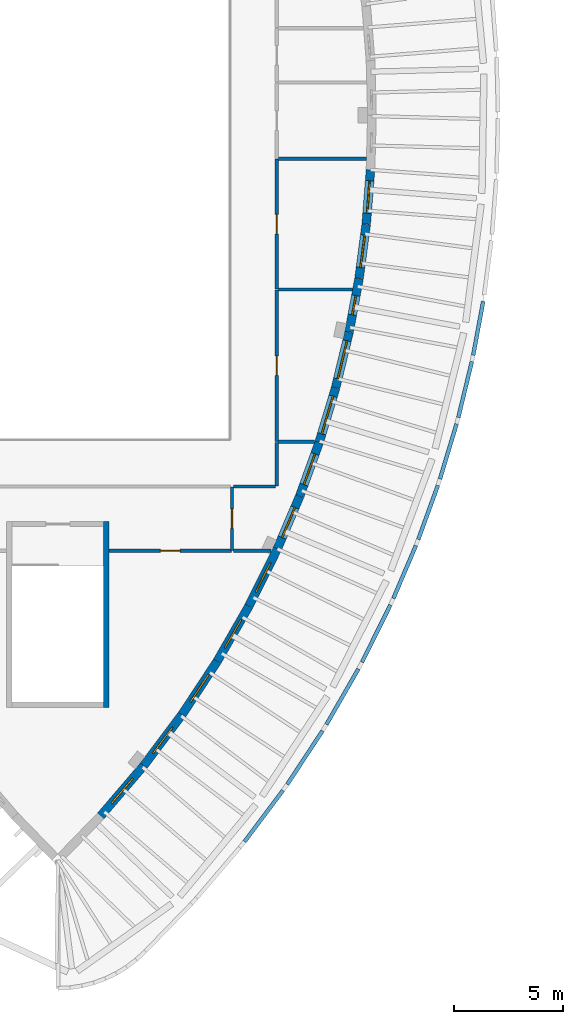
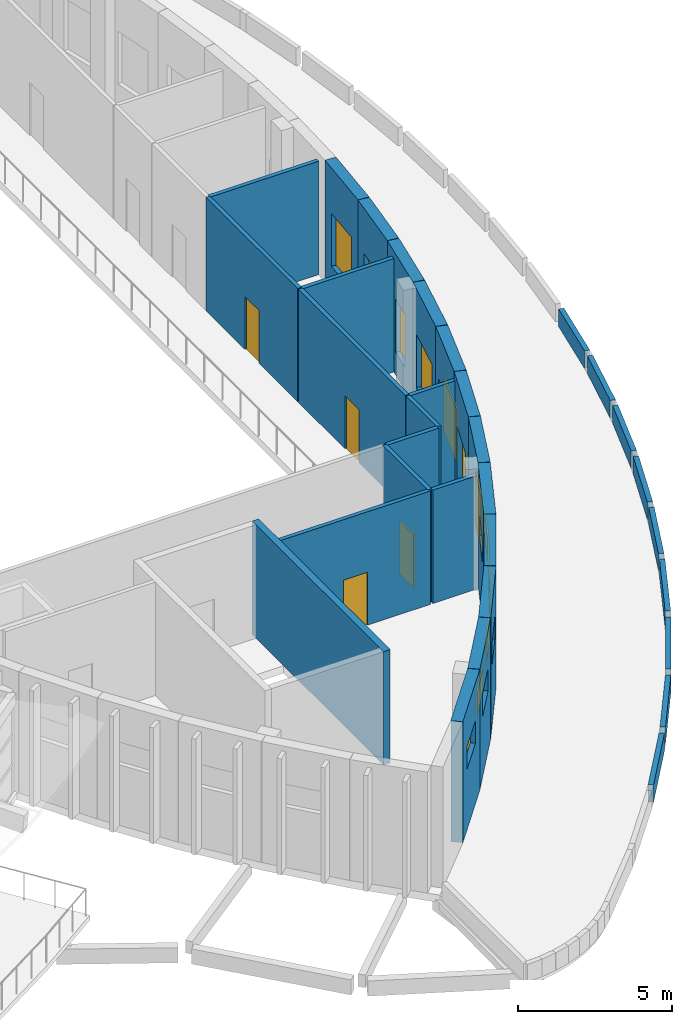
# One storey, part 73 of 93: 32 walls, 12 windows, 4 doors, 16 openings.
"""IFC4 building model written with IfcOpenShell, lengths in metres."""

from ifc_helpers import new_model, si_unit, direction, frame, frame_2d, origin, place, context, subcontext, project, spatial, rectangle, extrude, material, layer, layer_set, type_object, element, fill, save


model = new_model("IFC4")

# Units and contexts
model_context = context("Model", 3, precision=1e-05, world=origin(), true_north=direction((0.0, 1.0)))
body_context = subcontext(model_context, "Body", "Model", "MODEL_VIEW")
ifc_project = project(units=[si_unit("LENGTHUNIT", "METRE"), si_unit("AREAUNIT", "SQUARE_METRE"), si_unit("VOLUMEUNIT", "CUBIC_METRE"), si_unit("PLANEANGLEUNIT", "RADIAN"), si_unit("MASSUNIT", "GRAM", prefix="KILO")], contexts=[model_context])

# Site, building, storey
site_placement = place(None, origin())
site = spatial("IfcSite", under=ifc_project, at=site_placement, CompositionType="ELEMENT")
building_placement = place(site_placement, origin())
building = spatial("IfcBuilding", under=site, at=building_placement, Name="Tide Square Theatres", CompositionType="ELEMENT")
storey_placement = place(building_placement, frame((0.0, 0.0, 5.39990234375)))
storey = spatial("IfcBuildingStorey", under=building, at=storey_placement, Name="L01", CompositionType="ELEMENT", Elevation=5.39990234375)

# Walls
ifc_material_1 = material(Name="Gypsum board on steel studs", Category="steel")
ifc_layer_1 = layer(ifc_material_1, 0.14990234375)
ifc_layer_set_1 = layer_set([ifc_layer_1], Name="Gypsum board on steel studs")
wall_type_1 = type_object("IfcWallType", Name="Partition 150 thick", PredefinedType="PARTITIONING", material=ifc_layer_set_1)
wall_1_placement = place(storey_placement, frame((142.050048828125, 29.97998046875, 0.0), z_axis=(0.0, 0.0, 1.0), x_axis=(0.0, -1.0, 0.0)))
element("IfcWall", 1, at=wall_1_placement, inside=storey, type_object=wall_type_1, Name="Black Box Theatre partition", PredefinedType="PARTITIONING", context=body_context, shape_type="SweptSolid", body=[
    extrude(rectangle(XDim=2.009765625, YDim=0.14990234375, at=frame_2d((1.0048828125, 0.0))), origin(), (0.0, 0.0, 1.0), 4.5),
])
wall_2_placement = place(storey_placement, frame((141.98974609375, 27.949951171875, 0.0), z_axis=(0.0, 0.0, 1.0), x_axis=(-1.0, 0.0, 0.0)))
element("IfcWall", 2, at=wall_2_placement, inside=storey, type_object=wall_type_1, Name="Black Box Theatre partition", PredefinedType="PARTITIONING", context=body_context, shape_type="SweptSolid", body=[
    extrude(rectangle(XDim=1.9296875, YDim=0.14990234375, at=frame_2d((0.96484375, 0.0))), origin(), (0.0, 0.0, 1.0), 4.5),
])

# Wall, opening, door
wall_3_placement = place(storey_placement, frame((142.050048828125, 36.97998046875, 0.0), z_axis=(0.0, 0.0, 1.0), x_axis=(0.0, -1.0, 0.0)))
wall_3 = element("IfcWall", 3, at=wall_3_placement, inside=storey, type_object=wall_type_1, Name="Black Box Theatre partition", PredefinedType="PARTITIONING", context=body_context, shape_type="SweptSolid", body=[
    extrude(rectangle(XDim=6.9599609375, YDim=0.14990234375, at=frame_2d((3.47998046875, 0.0))), origin(), (0.0, 0.0, 1.0), 4.5),
])
opening_1_placement = place(wall_3_placement, frame((3.030029296875, 0.0, 0.0)))
opening_1 = element("IfcOpeningElement", 4, at=opening_1_placement, cuts=wall_3, Name="Opening B01-07", PredefinedType="OPENING", context=body_context, shape_type="SweptSolid", body=[
    extrude(rectangle(XDim=0.89990234375, YDim=2.10009765625, at=frame_2d((0.449951171875, 1.050048828125))), frame((0.0, 0.0849609375, 0.0), z_axis=(0.0, -1.0, 0.0), x_axis=(1.0, 0.0, 0.0)), (0.0, 0.0, 1.0), 0.169921875),
])
ifc_material_2 = material(Name="Hardwood timber", Category="wood")
door_type = type_object("IfcDoorType", Name="Door 900 x 2100 single leaf", OperationType="NOTDEFINED", PredefinedType="DOOR", material=ifc_material_2)
door_1_placement = place(opening_1_placement, origin())
door_1 = element("IfcDoor", 5, at=door_1_placement, inside=storey, type_object=door_type, Name="Rehearsal Room 03 door", OperationType="SINGLE_SWING_RIGHT", OverallHeight=2.10009765625, OverallWidth=0.89990234375, PredefinedType="DOOR", context=body_context, shape_type="SweptSolid", body=[
    extrude(rectangle(XDim=0.89990234375, YDim=2.10009765625, at=frame_2d((0.449951171875, 1.050048828125))), frame((0.0, 0.02490234375, 0.0), z_axis=(0.0, -1.0, 0.0), x_axis=(1.0, 0.0, 0.0)), (0.0, 0.0, 1.0), 0.050048828125),
])
fill(opening_1, door_1)

wall_4_placement = place(storey_placement, frame((142.050048828125, 42.97998046875, 0.0), z_axis=(0.0, 0.0, 1.0), x_axis=(0.0, -1.0, 0.0)))
wall_4 = element("IfcWall", 6, at=wall_4_placement, inside=storey, type_object=wall_type_1, Name="Black Box Theatre partition", PredefinedType="PARTITIONING", context=body_context, shape_type="SweptSolid", body=[
    extrude(rectangle(XDim=5.9599609375, YDim=0.14990234375, at=frame_2d((2.97998046875, 0.0))), origin(), (0.0, 0.0, 1.0), 4.5),
])
opening_2_placement = place(wall_4_placement, frame((2.530029296875, 0.0, 0.0)))
opening_2 = element("IfcOpeningElement", 7, at=opening_2_placement, cuts=wall_4, Name="Opening B01-08", PredefinedType="OPENING", context=body_context, shape_type="SweptSolid", body=[
    extrude(rectangle(XDim=0.89990234375, YDim=2.10009765625, at=frame_2d((0.449951171875, 1.050048828125))), frame((0.0, 0.0849609375, 0.0), z_axis=(0.0, -1.0, 0.0), x_axis=(1.0, 0.0, 0.0)), (0.0, 0.0, 1.0), 0.169921875),
])
door_2_placement = place(opening_2_placement, origin())
door_2 = element("IfcDoor", 8, at=door_2_placement, inside=storey, type_object=door_type, Name="Costume Room door", OperationType="SINGLE_SWING_RIGHT", OverallHeight=2.10009765625, OverallWidth=0.89990234375, PredefinedType="DOOR", context=body_context, shape_type="SweptSolid", body=[
    extrude(rectangle(XDim=0.89990234375, YDim=2.10009765625, at=frame_2d((0.449951171875, 1.050048828125))), frame((0.0, 0.02490234375, 0.0), z_axis=(0.0, -1.0, 0.0), x_axis=(1.0, 0.0, 0.0)), (0.0, 0.0, 1.0), 0.050048828125),
])
fill(opening_2, door_2)

wall_5_placement = place(storey_placement, frame((140.0, 27.929931640625, 0.0), z_axis=(0.0, 0.0, 1.0), x_axis=(0.0, -1.0, 0.0)))
wall_5 = element("IfcWall", 9, at=wall_5_placement, inside=storey, type_object=wall_type_1, Name="Black Box Theatre partition", PredefinedType="PARTITIONING", context=body_context, shape_type="SweptSolid", body=[
    extrude(rectangle(XDim=2.909912109375, YDim=0.14990234375, at=frame_2d((1.455078125, 0.0))), origin(), (0.0, 0.0, 1.0), 4.5),
])
opening_3_placement = place(wall_5_placement, frame((1.0048828125, 0.0, 0.0)))
opening_3 = element("IfcOpeningElement", 10, at=opening_3_placement, cuts=wall_5, Name="Opening B01-04", PredefinedType="OPENING", context=body_context, shape_type="SweptSolid", body=[
    extrude(rectangle(XDim=0.89990234375, YDim=2.10009765625, at=frame_2d((0.449951171875, 1.050048828125))), frame((0.0, 0.0849609375, 0.0), z_axis=(0.0, -1.0, 0.0), x_axis=(1.0, 0.0, 0.0)), (0.0, 0.0, 1.0), 0.169921875),
])
door_3_placement = place(opening_3_placement, origin())
door_3 = element("IfcDoor", 11, at=door_3_placement, inside=storey, type_object=door_type, Name="Black Box Lounge door", OperationType="SINGLE_SWING_RIGHT", OverallHeight=2.10009765625, OverallWidth=0.89990234375, PredefinedType="DOOR", context=body_context, shape_type="SweptSolid", body=[
    extrude(rectangle(XDim=0.89990234375, YDim=2.10009765625, at=frame_2d((0.449951171875, 1.050048828125))), frame((0.0, 0.02490234375, 0.0), z_axis=(0.0, -1.0, 0.0), x_axis=(1.0, 0.0, 0.0)), (0.0, 0.0, 1.0), 0.050048828125),
])
fill(opening_3, door_3)

wall_6_placement = place(storey_placement, frame((139.97998046875, 25.0, 0.0), z_axis=(0.0, 0.0, 1.0), x_axis=(-1.0, 0.0, 0.0)))
wall_6 = element("IfcWall", 12, at=wall_6_placement, inside=storey, type_object=wall_type_1, Name="Black Box Theatre partition", PredefinedType="PARTITIONING", context=body_context, shape_type="SweptSolid", body=[
    extrude(rectangle(XDim=5.63037109375, YDim=0.14990234375, at=frame_2d((2.815185546875, 0.0))), origin(), (0.0, 0.0, 1.0), 4.5),
])
opening_4_placement = place(wall_6_placement, frame((2.365234375, 0.0, 0.0)))
opening_4 = element("IfcOpeningElement", 13, at=opening_4_placement, cuts=wall_6, Name="Opening B01-13", PredefinedType="OPENING", context=body_context, shape_type="SweptSolid", body=[
    extrude(rectangle(XDim=0.89990234375, YDim=2.10009765625, at=frame_2d((0.449951171875, 1.050048828125))), frame((0.0, 0.0849609375, 0.0), z_axis=(0.0, -1.0, 0.0), x_axis=(1.0, 0.0, 0.0)), (0.0, 0.0, 1.0), 0.169921875),
])
door_4_placement = place(opening_4_placement, origin())
door_4 = element("IfcDoor", 14, at=door_4_placement, inside=storey, type_object=door_type, Name="Scenic Props Store door", OperationType="SINGLE_SWING_RIGHT", OverallHeight=2.10009765625, OverallWidth=0.89990234375, PredefinedType="DOOR", context=body_context, shape_type="SweptSolid", body=[
    extrude(rectangle(XDim=0.89990234375, YDim=2.10009765625, at=frame_2d((0.449951171875, 1.050048828125))), frame((0.0, 0.02490234375, 0.0), z_axis=(0.0, -1.0, 0.0), x_axis=(1.0, 0.0, 0.0)), (0.0, 0.0, 1.0), 0.050048828125),
])
fill(opening_4, door_4)

# Walls
wall_7_placement = place(storey_placement, frame((142.110107421875, 30.0, 0.0), z_axis=(0.0, 0.0, 1.0), x_axis=(1.0, 0.0, 0.0)))
element("IfcWall", 15, at=wall_7_placement, inside=storey, type_object=wall_type_1, Name="Black Box Theatre partition", PredefinedType="PARTITIONING", context=body_context, shape_type="SweptSolid", body=[
    extrude(rectangle(XDim=1.68115234375, YDim=0.14990234375, at=frame_2d((0.840576171875, 0.0))), origin(), (0.0, 0.0, 1.0), 4.5),
])
wall_8_placement = place(storey_placement, frame((141.7958984375, 25.0, 0.0), z_axis=(0.0, 0.0, 1.0), x_axis=(-1.0, 0.0, 0.0)))
element("IfcWall", 16, at=wall_8_placement, inside=storey, type_object=wall_type_1, Name="Black Box Theatre partition", PredefinedType="PARTITIONING", context=body_context, shape_type="SweptSolid", body=[
    extrude(rectangle(XDim=1.73583984375, YDim=0.14990234375, at=frame_2d((0.867919921875, 0.0))), origin(), (0.0, 0.0, 1.0), 4.5),
])
wall_9_placement = place(storey_placement, frame((142.110107421875, 37.0, 0.0), z_axis=(0.0, 0.0, 1.0), x_axis=(1.0, 0.0, 0.0)))
element("IfcWall", 17, at=wall_9_placement, inside=storey, type_object=wall_type_1, Name="Black Box Theatre partition", PredefinedType="PARTITIONING", context=body_context, shape_type="SweptSolid", body=[
    extrude(rectangle(XDim=3.428955078125, YDim=0.14990234375, at=frame_2d((1.71435546875, 0.0))), origin(), (0.0, 0.0, 1.0), 4.5),
])
wall_10_placement = place(storey_placement, frame((142.110107421875, 43.0, 0.0), z_axis=(0.0, 0.0, 1.0), x_axis=(1.0, 0.0, 0.0)))
element("IfcWall", 18, at=wall_10_placement, inside=storey, type_object=wall_type_1, Name="Black Box Theatre partition", PredefinedType="PARTITIONING", context=body_context, shape_type="SweptSolid", body=[
    extrude(rectangle(XDim=4.06494140625, YDim=0.14990234375, at=frame_2d((2.032470703125, 0.0))), origin(), (0.0, 0.0, 1.0), 4.5),
])

# Wall, opening, window
ifc_material_3 = material(Name="Concrete C40", Category="concrete")
ifc_layer_2 = layer(ifc_material_3, 0.39990234375)
ifc_layer_set_2 = layer_set([ifc_layer_2], Name="Concrete C40")
wall_type_2 = type_object("IfcWallType", Name="RC curved wall 400 thick", PredefinedType="SOLIDWALL", material=ifc_layer_set_2)
wall_11_placement = place(storey_placement, frame((133.97607421875, 12.824462890625, 0.0), z_axis=(0.0, 0.0, 1.0), x_axis=(0.649458578854, 0.760396971557, 0.0)))
wall_11 = element("IfcWall", 19, at=wall_11_placement, inside=storey, type_object=wall_type_2, Name="Black Box Theatre perimeter wall", PredefinedType="SOLIDWALL", context=body_context, shape_type="SweptSolid", body=[
    extrude(rectangle(XDim=3.019287109375, YDim=0.39990234375, at=frame_2d((1.509765625, 0.0))), origin(), (0.0, 0.0, 1.0), 4.800048828125),
])
opening_5_placement = place(wall_11_placement, frame((0.759521484375, 0.0, 2.39990234375)))
opening_5 = element("IfcOpeningElement", 20, at=opening_5_placement, cuts=wall_11, Name="Opening WN-04", PredefinedType="OPENING", context=body_context, shape_type="SweptSolid", body=[
    extrude(rectangle(XDim=1.5, YDim=0.89990234375, at=frame_2d((0.75, 0.449951171875))), frame((0.0, 0.2099609375, 0.0), z_axis=(0.0, -1.0, 0.0), x_axis=(1.0, 0.0, 0.0)), (0.0, 0.0, 1.0), 0.419921875),
])
ifc_material_4 = material(Name="Aluminium with laminated glass", Category="aluminium")
window_type_1 = type_object("IfcWindowType", Name="Window 1500 x 900", PartitioningType="SINGLE_PANEL", PredefinedType="WINDOW", material=ifc_material_4)
window_1_placement = place(opening_5_placement, origin())
window_1 = element("IfcWindow", 21, at=window_1_placement, inside=storey, type_object=window_type_1, Name="Black Box Theatre Scenic Props Store window", OverallHeight=0.89990234375, OverallWidth=1.5, PartitioningType="SINGLE_PANEL", PredefinedType="WINDOW", context=body_context, shape_type="SweptSolid", body=[
    extrude(rectangle(XDim=1.5, YDim=0.89990234375, at=frame_2d((0.75, 0.449951171875))), frame((0.0, 0.030029296875, 0.0), z_axis=(0.0, -1.0, 0.0), x_axis=(1.0, 0.0, 0.0)), (0.0, 0.0, 1.0), 0.06005859375),
])
fill(opening_5, window_1)

wall_12_placement = place(storey_placement, frame((135.944580078125, 15.130126953125, 0.0), z_axis=(0.0, 0.0, 1.0), x_axis=(0.600829330321, 0.799377330068, 0.0)))
wall_12 = element("IfcWall", 22, at=wall_12_placement, inside=storey, type_object=wall_type_2, Name="Black Box Theatre perimeter wall", PredefinedType="SOLIDWALL", context=body_context, shape_type="SweptSolid", body=[
    extrude(rectangle(XDim=2.919189453125, YDim=0.39990234375, at=frame_2d((1.45947265625, 0.0))), origin(), (0.0, 0.0, 1.0), 4.800048828125),
])
opening_6_placement = place(wall_12_placement, frame((0.709716796875, 0.0, 2.39990234375)))
opening_6 = element("IfcOpeningElement", 23, at=opening_6_placement, cuts=wall_12, Name="Opening WN-04", PredefinedType="OPENING", context=body_context, shape_type="SweptSolid", body=[
    extrude(rectangle(XDim=1.5, YDim=0.89990234375, at=frame_2d((0.75, 0.449951171875))), frame((0.0, 0.2099609375, 0.0), z_axis=(0.0, -1.0, 0.0), x_axis=(1.0, 0.0, 0.0)), (0.0, 0.0, 1.0), 0.419921875),
])
window_2_placement = place(opening_6_placement, origin())
window_2 = element("IfcWindow", 24, at=window_2_placement, inside=storey, type_object=window_type_1, Name="Black Box Theatre Scenic Props Store window", OverallHeight=0.89990234375, OverallWidth=1.5, PartitioningType="SINGLE_PANEL", PredefinedType="WINDOW", context=body_context, shape_type="SweptSolid", body=[
    extrude(rectangle(XDim=1.5, YDim=0.89990234375, at=frame_2d((0.75, 0.449951171875))), frame((0.0, 0.030029296875, 0.0), z_axis=(0.0, -1.0, 0.0), x_axis=(1.0, 0.0, 0.0)), (0.0, 0.0, 1.0), 0.06005859375),
])
fill(opening_6, window_2)

wall_13_placement = place(storey_placement, frame((137.70556640625, 17.4736328125, 0.0), z_axis=(0.0, 0.0, 1.0), x_axis=(0.550602185206, 0.834767772285, 0.0)))
wall_13 = element("IfcWall", 25, at=wall_13_placement, inside=storey, type_object=wall_type_2, Name="Black Box Theatre perimeter wall", PredefinedType="SOLIDWALL", context=body_context, shape_type="SweptSolid", body=[
    extrude(rectangle(XDim=2.91943359375, YDim=0.39990234375, at=frame_2d((1.459716796875, 0.0))), origin(), (0.0, 0.0, 1.0), 4.800048828125),
])
opening_7_placement = place(wall_13_placement, frame((0.709716796875, 0.0, 2.39990234375)))
opening_7 = element("IfcOpeningElement", 26, at=opening_7_placement, cuts=wall_13, Name="Opening WN-04", PredefinedType="OPENING", context=body_context, shape_type="SweptSolid", body=[
    extrude(rectangle(XDim=1.5, YDim=0.89990234375, at=frame_2d((0.75, 0.449951171875))), frame((0.0, 0.2099609375, 0.0), z_axis=(0.0, -1.0, 0.0), x_axis=(1.0, 0.0, 0.0)), (0.0, 0.0, 1.0), 0.419921875),
])
window_3_placement = place(opening_7_placement, origin())
window_3 = element("IfcWindow", 27, at=window_3_placement, inside=storey, type_object=window_type_1, Name="Black Box Theatre Scenic Props Store window", OverallHeight=0.89990234375, OverallWidth=1.5, PartitioningType="SINGLE_PANEL", PredefinedType="WINDOW", context=body_context, shape_type="SweptSolid", body=[
    extrude(rectangle(XDim=1.5, YDim=0.89990234375, at=frame_2d((0.75, 0.449951171875))), frame((0.0, 0.030029296875, 0.0), z_axis=(0.0, -1.0, 0.0), x_axis=(1.0, 0.0, 0.0)), (0.0, 0.0, 1.0), 0.06005859375),
])
fill(opening_7, window_3)

wall_14_placement = place(storey_placement, frame((139.3193359375, 19.9208984375, 0.0), z_axis=(0.0, 0.0, 1.0), x_axis=(0.498406705095, 0.866943340892, 0.0)))
wall_14 = element("IfcWall", 28, at=wall_14_placement, inside=storey, type_object=wall_type_2, Name="Black Box Theatre perimeter wall", PredefinedType="SOLIDWALL", context=body_context, shape_type="SweptSolid", body=[
    extrude(rectangle(XDim=2.91943359375, YDim=0.39990234375, at=frame_2d((1.459716796875, 0.0))), origin(), (0.0, 0.0, 1.0), 4.800048828125),
])
opening_8_placement = place(wall_14_placement, frame((0.709716796875, 0.0, 2.39990234375)))
opening_8 = element("IfcOpeningElement", 29, at=opening_8_placement, cuts=wall_14, Name="Opening WN-04", PredefinedType="OPENING", context=body_context, shape_type="SweptSolid", body=[
    extrude(rectangle(XDim=1.5, YDim=0.89990234375, at=frame_2d((0.75, 0.449951171875))), frame((0.0, 0.2099609375, 0.0), z_axis=(0.0, -1.0, 0.0), x_axis=(1.0, 0.0, 0.0)), (0.0, 0.0, 1.0), 0.419921875),
])
window_4_placement = place(opening_8_placement, origin())
window_4 = element("IfcWindow", 30, at=window_4_placement, inside=storey, type_object=window_type_1, Name="Black Box Theatre Scenic Props Store window", OverallHeight=0.89990234375, OverallWidth=1.5, PartitioningType="SINGLE_PANEL", PredefinedType="WINDOW", context=body_context, shape_type="SweptSolid", body=[
    extrude(rectangle(XDim=1.5, YDim=0.89990234375, at=frame_2d((0.75, 0.449951171875))), frame((0.0, 0.030029296875, 0.0), z_axis=(0.0, -1.0, 0.0), x_axis=(1.0, 0.0, 0.0)), (0.0, 0.0, 1.0), 0.06005859375),
])
fill(opening_8, window_4)

wall_15_placement = place(storey_placement, frame((140.7802734375, 22.462646484375, 0.0), z_axis=(0.0, 0.0, 1.0), x_axis=(0.44433489597, 0.895860759395, 0.0)))
wall_15 = element("IfcWall", 31, at=wall_15_placement, inside=storey, type_object=wall_type_2, Name="Black Box Theatre perimeter wall", PredefinedType="SOLIDWALL", context=body_context, shape_type="SweptSolid", body=[
    extrude(rectangle(XDim=2.919677734375, YDim=0.39990234375, at=frame_2d((1.4599609375, 0.0))), origin(), (0.0, 0.0, 1.0), 4.800048828125),
])
opening_9_placement = place(wall_15_placement, frame((0.7099609375, 0.0, 2.39990234375)))
opening_9 = element("IfcOpeningElement", 32, at=opening_9_placement, cuts=wall_15, Name="Opening WN-04", PredefinedType="OPENING", context=body_context, shape_type="SweptSolid", body=[
    extrude(rectangle(XDim=1.5, YDim=0.89990234375, at=frame_2d((0.75, 0.449951171875))), frame((0.0, 0.2099609375, 0.0), z_axis=(0.0, -1.0, 0.0), x_axis=(1.0, 0.0, 0.0)), (0.0, 0.0, 1.0), 0.419921875),
])
window_5_placement = place(opening_9_placement, origin())
window_5 = element("IfcWindow", 33, at=window_5_placement, inside=storey, type_object=window_type_1, Name="Black Box Theatre Scenic Props Store window", OverallHeight=0.89990234375, OverallWidth=1.5, PartitioningType="SINGLE_PANEL", PredefinedType="WINDOW", context=body_context, shape_type="SweptSolid", body=[
    extrude(rectangle(XDim=1.5, YDim=0.89990234375, at=frame_2d((0.75, 0.449951171875))), frame((0.0, 0.030029296875, 0.0), z_axis=(0.0, -1.0, 0.0), x_axis=(1.0, 0.0, 0.0)), (0.0, 0.0, 1.0), 0.06005859375),
])
fill(opening_9, window_5)

wall_16_placement = place(storey_placement, frame((142.08251953125, 25.089111328125, 0.0), z_axis=(0.0, 0.0, 1.0), x_axis=(0.391529943778, 0.920165367271, 0.0)))
wall_16 = element("IfcWall", 34, at=wall_16_placement, inside=storey, type_object=wall_type_2, Name="Black Box Theatre perimeter wall", PredefinedType="SOLIDWALL", context=body_context, shape_type="SweptSolid", body=[
    extrude(rectangle(XDim=2.61572265625, YDim=0.39990234375, at=frame_2d((1.307861328125, 0.0))), origin(), (0.0, 0.0, 1.0), 4.800048828125),
])
opening_10_placement = place(wall_16_placement, frame((0.55810546875, 0.0, 0.89990234375)))
opening_10 = element("IfcOpeningElement", 35, at=opening_10_placement, cuts=wall_16, Name="Opening WN-01", PredefinedType="OPENING", context=body_context, shape_type="SweptSolid", body=[
    extrude(rectangle(XDim=1.5, YDim=2.10009765625, at=frame_2d((0.75, 1.050048828125))), frame((0.0, 0.2099609375, 0.0), z_axis=(0.0, -1.0, 0.0), x_axis=(1.0, 0.0, 0.0)), (0.0, 0.0, 1.0), 0.419921875),
])
ifc_material_5 = material(Name="Aluminium with laminated glass", Category="aluminium")
window_type_2 = type_object("IfcWindowType", Name="Window 1500 x 2100", PartitioningType="SINGLE_PANEL", PredefinedType="WINDOW", material=ifc_material_5)
window_6_placement = place(opening_10_placement, origin())
window_6 = element("IfcWindow", 36, at=window_6_placement, inside=storey, type_object=window_type_2, Name="Black Box Theatre Black Box Lounge window", OverallHeight=2.10009765625, OverallWidth=1.5, PartitioningType="SINGLE_PANEL", PredefinedType="WINDOW", context=body_context, shape_type="SweptSolid", body=[
    extrude(rectangle(XDim=1.5, YDim=2.10009765625, at=frame_2d((0.75, 1.050048828125))), frame((0.0, 0.030029296875, 0.0), z_axis=(0.0, -1.0, 0.0), x_axis=(1.0, 0.0, 0.0)), (0.0, 0.0, 1.0), 0.06005859375),
])
fill(opening_10, window_6)

wall_17_placement = place(storey_placement, frame((143.110595703125, 27.50634765625, 0.0), z_axis=(0.0, 0.0, 1.0), x_axis=(0.340394146267, 0.940282843184, 0.0)))
wall_17 = element("IfcWall", 37, at=wall_17_placement, inside=storey, type_object=wall_type_2, Name="Black Box Theatre perimeter wall", PredefinedType="SOLIDWALL", context=body_context, shape_type="SweptSolid", body=[
    extrude(rectangle(XDim=2.616455078125, YDim=0.39990234375, at=frame_2d((1.30810546875, 0.0))), origin(), (0.0, 0.0, 1.0), 4.800048828125),
])
opening_11_placement = place(wall_17_placement, frame((0.558349609375, 0.0, 0.89990234375)))
opening_11 = element("IfcOpeningElement", 38, at=opening_11_placement, cuts=wall_17, Name="Opening WN-01", PredefinedType="OPENING", context=body_context, shape_type="SweptSolid", body=[
    extrude(rectangle(XDim=1.5, YDim=2.10009765625, at=frame_2d((0.75, 1.050048828125))), frame((0.0, 0.2099609375, 0.0), z_axis=(0.0, -1.0, 0.0), x_axis=(1.0, 0.0, 0.0)), (0.0, 0.0, 1.0), 0.419921875),
])
window_7_placement = place(opening_11_placement, origin())
window_7 = element("IfcWindow", 39, at=window_7_placement, inside=storey, type_object=window_type_2, Name="Black Box Theatre Black Box Lounge window", OverallHeight=2.10009765625, OverallWidth=1.5, PartitioningType="SINGLE_PANEL", PredefinedType="WINDOW", context=body_context, shape_type="SweptSolid", body=[
    extrude(rectangle(XDim=1.5, YDim=2.10009765625, at=frame_2d((0.75, 1.050048828125))), frame((0.0, 0.030029296875, 0.0), z_axis=(0.0, -1.0, 0.0), x_axis=(1.0, 0.0, 0.0)), (0.0, 0.0, 1.0), 0.06005859375),
])
fill(opening_11, window_7)

wall_18_placement = place(storey_placement, frame((144.004638671875, 29.97705078125, 0.0), z_axis=(0.0, 0.0, 1.0), x_axis=(0.288212317298, 0.957566530408, 0.0)))
wall_18 = element("IfcWall", 40, at=wall_18_placement, inside=storey, type_object=wall_type_2, Name="Black Box Theatre perimeter wall", PredefinedType="SOLIDWALL", context=body_context, shape_type="SweptSolid", body=[
    extrude(rectangle(XDim=2.61669921875, YDim=0.39990234375, at=frame_2d((1.308349609375, 0.0))), origin(), (0.0, 0.0, 1.0), 4.800048828125),
])
opening_12_placement = place(wall_18_placement, frame((0.408203125, 0.0, 0.89990234375)))
opening_12 = element("IfcOpeningElement", 41, at=opening_12_placement, cuts=wall_18, Name="Opening WN-14", PredefinedType="OPENING", context=body_context, shape_type="SweptSolid", body=[
    extrude(rectangle(XDim=1.800048828125, YDim=2.10009765625, at=frame_2d((0.89990234375, 1.050048828125))), frame((0.0, 0.2099609375, 0.0), z_axis=(0.0, -1.0, 0.0), x_axis=(1.0, 0.0, 0.0)), (0.0, 0.0, 1.0), 0.419921875),
])
ifc_material_6 = material(Name="Aluminium with laminated glass", Category="aluminium")
window_type_3 = type_object("IfcWindowType", Name="Window 1800 x 2100", PartitioningType="DOUBLE_PANEL_VERTICAL", PredefinedType="WINDOW", material=ifc_material_6)
window_8_placement = place(opening_12_placement, origin())
window_8 = element("IfcWindow", 42, at=window_8_placement, inside=storey, type_object=window_type_3, Name="Black Box Theatre Rehearsal Room 03 window", OverallHeight=2.10009765625, OverallWidth=1.800048828125, PartitioningType="SINGLE_PANEL", PredefinedType="WINDOW", context=body_context, shape_type="SweptSolid", body=[
    extrude(rectangle(XDim=1.800048828125, YDim=2.10009765625, at=frame_2d((0.89990234375, 1.050048828125))), frame((0.0, 0.030029296875, 0.0), z_axis=(0.0, -1.0, 0.0), x_axis=(1.0, 0.0, 0.0)), (0.0, 0.0, 1.0), 0.06005859375),
])
fill(opening_12, window_8)

wall_19_placement = place(storey_placement, frame((144.76171875, 32.4931640625, 0.0), z_axis=(0.0, 0.0, 1.0), x_axis=(0.235108668597, 0.971969091047, 0.0)))
wall_19 = element("IfcWall", 43, at=wall_19_placement, inside=storey, type_object=wall_type_2, Name="Black Box Theatre perimeter wall", PredefinedType="SOLIDWALL", context=body_context, shape_type="SweptSolid", body=[
    extrude(rectangle(XDim=2.61669921875, YDim=0.39990234375, at=frame_2d((1.308349609375, 0.0))), origin(), (0.0, 0.0, 1.0), 4.800048828125),
])
opening_13_placement = place(wall_19_placement, frame((0.408447265625, 0.0, 0.89990234375)))
opening_13 = element("IfcOpeningElement", 44, at=opening_13_placement, cuts=wall_19, Name="Opening WN-14", PredefinedType="OPENING", context=body_context, shape_type="SweptSolid", body=[
    extrude(rectangle(XDim=1.800048828125, YDim=2.10009765625, at=frame_2d((0.89990234375, 1.050048828125))), frame((0.0, 0.2099609375, 0.0), z_axis=(0.0, -1.0, 0.0), x_axis=(1.0, 0.0, 0.0)), (0.0, 0.0, 1.0), 0.419921875),
])
window_9_placement = place(opening_13_placement, origin())
window_9 = element("IfcWindow", 45, at=window_9_placement, inside=storey, type_object=window_type_3, Name="Black Box Theatre Rehearsal Room 03 window", OverallHeight=2.10009765625, OverallWidth=1.800048828125, PartitioningType="SINGLE_PANEL", PredefinedType="WINDOW", context=body_context, shape_type="SweptSolid", body=[
    extrude(rectangle(XDim=1.800048828125, YDim=2.10009765625, at=frame_2d((0.89990234375, 1.050048828125))), frame((0.0, 0.030029296875, 0.0), z_axis=(0.0, -1.0, 0.0), x_axis=(1.0, 0.0, 0.0)), (0.0, 0.0, 1.0), 0.06005859375),
])
fill(opening_13, window_9)

wall_20_placement = place(storey_placement, frame((145.379150390625, 35.047119140625, 0.0), z_axis=(0.0, 0.0, 1.0), x_axis=(0.182652956339, 0.983177449671, 0.0)))
wall_20 = element("IfcWall", 46, at=wall_20_placement, inside=storey, type_object=wall_type_2, Name="Black Box Theatre perimeter wall", PredefinedType="SOLIDWALL", context=body_context, shape_type="SweptSolid", body=[
    extrude(rectangle(XDim=2.496826171875, YDim=0.39990234375, at=frame_2d((1.24853515625, 0.0))), origin(), (0.0, 0.0, 1.0), 4.800048828125),
])
opening_14_placement = place(wall_20_placement, frame((0.79833984375, 0.0, 0.89990234375)))
opening_14 = element("IfcOpeningElement", 47, at=opening_14_placement, cuts=wall_20, Name="Opening WN-10", PredefinedType="OPENING", context=body_context, shape_type="SweptSolid", body=[
    extrude(rectangle(XDim=0.89990234375, YDim=2.10009765625, at=frame_2d((0.449951171875, 1.050048828125))), frame((0.0, 0.2099609375, 0.0), z_axis=(0.0, -1.0, 0.0), x_axis=(1.0, 0.0, 0.0)), (0.0, 0.0, 1.0), 0.419921875),
])
ifc_material_7 = material(Name="Aluminium with laminated glass", Category="aluminium")
window_type_4 = type_object("IfcWindowType", Name="Window 900 x 2100", PartitioningType="SINGLE_PANEL", PredefinedType="WINDOW", material=ifc_material_7)
window_10_placement = place(opening_14_placement, origin())
window_10 = element("IfcWindow", 48, at=window_10_placement, inside=storey, type_object=window_type_4, Name="Black Box Theatre Rehearsal Room 03 window", OverallHeight=2.10009765625, OverallWidth=0.89990234375, PartitioningType="SINGLE_PANEL", PredefinedType="WINDOW", context=body_context, shape_type="SweptSolid", body=[
    extrude(rectangle(XDim=0.89990234375, YDim=2.10009765625, at=frame_2d((0.449951171875, 1.050048828125))), frame((0.0, 0.030029296875, 0.0), z_axis=(0.0, -1.0, 0.0), x_axis=(1.0, 0.0, 0.0)), (0.0, 0.0, 1.0), 0.06005859375),
])
fill(opening_14, window_10)

wall_21_placement = place(storey_placement, frame((145.8369140625, 37.512451171875, 0.0), z_axis=(0.0, 0.0, 1.0), x_axis=(0.130722601708, 0.991418983782, 0.0)))
wall_21 = element("IfcWall", 49, at=wall_21_placement, inside=storey, type_object=wall_type_2, Name="Black Box Theatre perimeter wall", PredefinedType="SOLIDWALL", context=body_context, shape_type="SweptSolid", body=[
    extrude(rectangle(XDim=2.4970703125, YDim=0.39990234375, at=frame_2d((1.24853515625, 0.0))), origin(), (0.0, 0.0, 1.0), 4.800048828125),
])
opening_15_placement = place(wall_21_placement, frame((0.49853515625, 0.0, 0.89990234375)))
opening_15 = element("IfcOpeningElement", 50, at=opening_15_placement, cuts=wall_21, Name="Opening WN-01", PredefinedType="OPENING", context=body_context, shape_type="SweptSolid", body=[
    extrude(rectangle(XDim=1.5, YDim=2.10009765625, at=frame_2d((0.75, 1.050048828125))), frame((0.0, 0.2099609375, 0.0), z_axis=(0.0, -1.0, 0.0), x_axis=(1.0, 0.0, 0.0)), (0.0, 0.0, 1.0), 0.419921875),
])
window_11_placement = place(opening_15_placement, origin())
window_11 = element("IfcWindow", 51, at=window_11_placement, inside=storey, type_object=window_type_2, Name="Black Box Theatre Costume Room window", OverallHeight=2.10009765625, OverallWidth=1.5, PartitioningType="SINGLE_PANEL", PredefinedType="WINDOW", context=body_context, shape_type="SweptSolid", body=[
    extrude(rectangle(XDim=1.5, YDim=2.10009765625, at=frame_2d((0.75, 1.050048828125))), frame((0.0, 0.030029296875, 0.0), z_axis=(0.0, -1.0, 0.0), x_axis=(1.0, 0.0, 0.0)), (0.0, 0.0, 1.0), 0.06005859375),
])
fill(opening_15, window_11)

wall_22_placement = place(storey_placement, frame((146.16455078125, 39.99853515625, 0.0), z_axis=(0.0, 0.0, 1.0), x_axis=(0.078602769132, 0.996906015974, 0.0)))
wall_22 = element("IfcWall", 52, at=wall_22_placement, inside=storey, type_object=wall_type_2, Name="Black Box Theatre perimeter wall", PredefinedType="SOLIDWALL", context=body_context, shape_type="SweptSolid", body=[
    extrude(rectangle(XDim=2.497314453125, YDim=0.39990234375, at=frame_2d((1.24853515625, 0.0))), origin(), (0.0, 0.0, 1.0), 4.800048828125),
])
opening_16_placement = place(wall_22_placement, frame((0.49853515625, 0.0, 0.89990234375)))
opening_16 = element("IfcOpeningElement", 53, at=opening_16_placement, cuts=wall_22, Name="Opening WN-01", PredefinedType="OPENING", context=body_context, shape_type="SweptSolid", body=[
    extrude(rectangle(XDim=1.5, YDim=2.10009765625, at=frame_2d((0.75, 1.050048828125))), frame((0.0, 0.2099609375, 0.0), z_axis=(0.0, -1.0, 0.0), x_axis=(1.0, 0.0, 0.0)), (0.0, 0.0, 1.0), 0.419921875),
])
window_12_placement = place(opening_16_placement, origin())
window_12 = element("IfcWindow", 54, at=window_12_placement, inside=storey, type_object=window_type_2, Name="Black Box Theatre Costume Room window", OverallHeight=2.10009765625, OverallWidth=1.5, PartitioningType="SINGLE_PANEL", PredefinedType="WINDOW", context=body_context, shape_type="SweptSolid", body=[
    extrude(rectangle(XDim=1.5, YDim=2.10009765625, at=frame_2d((0.75, 1.050048828125))), frame((0.0, 0.030029296875, 0.0), z_axis=(0.0, -1.0, 0.0), x_axis=(1.0, 0.0, 0.0)), (0.0, 0.0, 1.0), 0.06005859375),
])
fill(opening_16, window_12)

# Walls
ifc_material_8 = material(Name="Concrete C40", Category="concrete")
ifc_layer_3 = layer(ifc_material_8, 0.179931640625)
ifc_layer_set_3 = layer_set([ifc_layer_3], Name="Concrete C40")
wall_type_3 = type_object("IfcWallType", Name="RC parapet 180 thick", PredefinedType="PARAPET", material=ifc_layer_set_3)
wall_23_placement = place(storey_placement, frame((151.53955078125, 36.453125, 0.0), z_axis=(0.0, 0.0, 1.0), x_axis=(-0.182655118662, -0.983177047956, 0.0)))
element("IfcWall", 55, at=wall_23_placement, inside=storey, type_object=wall_type_3, Name="Arcade roof parapet", PredefinedType="PARAPET", context=body_context, shape_type="SweptSolid", body=[
    extrude(rectangle(XDim=2.518310546875, YDim=0.179931640625, at=frame_2d((1.25927734375, 0.0))), origin(), (0.0, 0.0, 1.0), 0.7001953125),
])
wall_24_placement = place(storey_placement, frame((151.016845703125, 33.68310546875, 0.0), z_axis=(0.0, 0.0, 1.0), x_axis=(-0.235125937345, -0.971964913764, 0.0)))
element("IfcWall", 56, at=wall_24_placement, inside=storey, type_object=wall_type_3, Name="Arcade roof parapet", PredefinedType="PARAPET", context=body_context, shape_type="SweptSolid", body=[
    extrude(rectangle(XDim=2.638427734375, YDim=0.179931640625, at=frame_2d((1.3193359375, 0.0))), origin(), (0.0, 0.0, 1.0), 0.7001953125),
])
wall_25_placement = place(storey_placement, frame((150.31591796875, 30.821533203125, 0.0), z_axis=(0.0, 0.0, 1.0), x_axis=(-0.28822210507, -0.957563584389, 0.0)))
element("IfcWall", 57, at=wall_25_placement, inside=storey, type_object=wall_type_3, Name="Arcade roof parapet", PredefinedType="PARAPET", context=body_context, shape_type="SweptSolid", body=[
    extrude(rectangle(XDim=2.638671875, YDim=0.179931640625, at=frame_2d((1.3193359375, 0.0))), origin(), (0.0, 0.0, 1.0), 0.7001953125),
])
for number, where, z_axis, x_axis, name in (
    (58, (149.458740234375, 28.002685546875, 0.0), (0.0, 0.0, 1.0), (-0.340412874983, -0.940276062944, 0.0), "Arcade roof parapet"),
    (59, (148.447998046875, 25.2353515625, 0.0), (0.0, 0.0, 1.0), (-0.391595169871, -0.920137610868, 0.0), "Arcade roof parapet"),
):
    element("IfcWall", number, at=place(storey_placement, frame(where, z_axis=z_axis, x_axis=x_axis)), inside=storey, type_object=wall_type_3, Name=name, PredefinedType="PARAPET", context=body_context, shape_type="SweptSolid", body=[
        extrude(rectangle(XDim=2.638427734375, YDim=0.179931640625, at=frame_2d((1.3193359375, 0.0))), origin(), (0.0, 0.0, 1.0), 0.7001953125),
    ])
for number, where, z_axis, x_axis, name in (
    (60, (147.27880859375, 22.51171875, 0.0), (0.0, 0.0, 1.0), (-0.444358403575, -0.895849099555, 0.0), "Arcade roof parapet"),
    (61, (145.80859375, 19.571533203125, 0.0), (0.0, 0.0, 1.0), (-0.498441518108, -0.866923325921, 0.0), "Arcade roof parapet"),
):
    element("IfcWall", number, at=place(storey_placement, frame(where, z_axis=z_axis, x_axis=x_axis)), inside=storey, type_object=wall_type_3, Name=name, PredefinedType="PARAPET", context=body_context, shape_type="SweptSolid", body=[
        extrude(rectangle(XDim=2.94384765625, YDim=0.179931640625, at=frame_2d((1.471923828125, 0.0))), origin(), (0.0, 0.0, 1.0), 0.7001953125),
    ])
for number, where, z_axis, x_axis, name in (
    (62, (144.1611328125, 16.72705078125, 0.0), (0.0, 0.0, 1.0), (-0.550616879534, -0.834758079908, 0.0), "Arcade roof parapet"),
    (63, (142.34228515625, 13.989013671875, 0.0), (0.0, 0.0, 1.0), (-0.600729616459, -0.799452267437, 0.0), "Arcade roof parapet"),
):
    element("IfcWall", number, at=place(storey_placement, frame(where, z_axis=z_axis, x_axis=x_axis)), inside=storey, type_object=wall_type_3, Name=name, PredefinedType="PARAPET", context=body_context, shape_type="SweptSolid", body=[
        extrude(rectangle(XDim=2.943603515625, YDim=0.179931640625, at=frame_2d((1.4716796875, 0.0))), origin(), (0.0, 0.0, 1.0), 0.7001953125),
    ])
ifc_material_9 = material(Name="Concrete C40", Category="concrete")
ifc_layer_4 = layer(ifc_material_9, 0.25)
ifc_layer_set_4 = layer_set([ifc_layer_4], Name="Concrete C40")
wall_type_4 = type_object("IfcWallType", Name="RC shear wall 250 thick", PredefinedType="SHEAR", material=ifc_layer_set_4)
wall_26_placement = place(storey_placement, frame((134.22509765625, 17.800048828125, 0.0), z_axis=(0.0, 0.0, 1.0), x_axis=(0.0, 1.0, 0.0)))
element("IfcWall", 64, at=wall_26_placement, inside=storey, type_object=wall_type_4, Name="Black Box Theatre Stair B2 shaft wall", PredefinedType="SHEAR", context=body_context, shape_type="SweptSolid", body=[
    extrude(rectangle(XDim=8.550048828125, YDim=0.25, at=frame_2d((4.27490234375, 0.0))), origin(), (0.0, 0.0, 1.0), 4.5),
])

save(model, "model.ifc")
